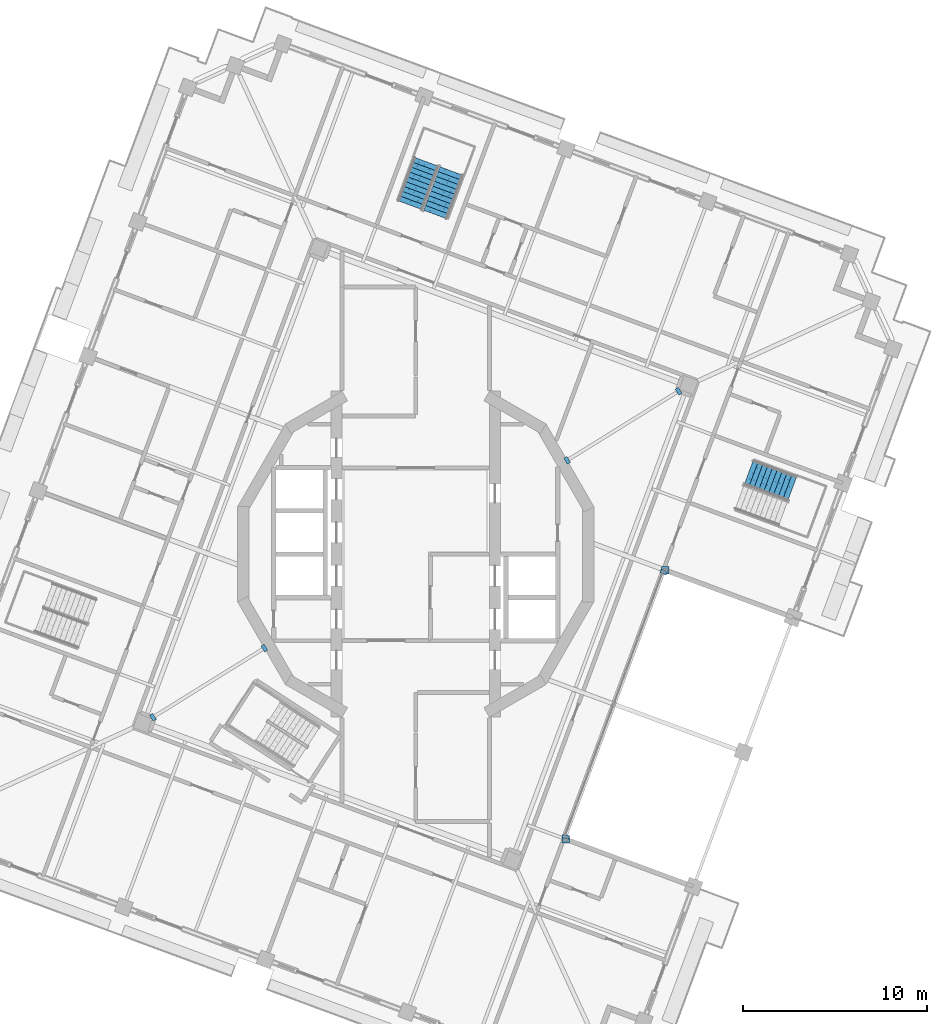
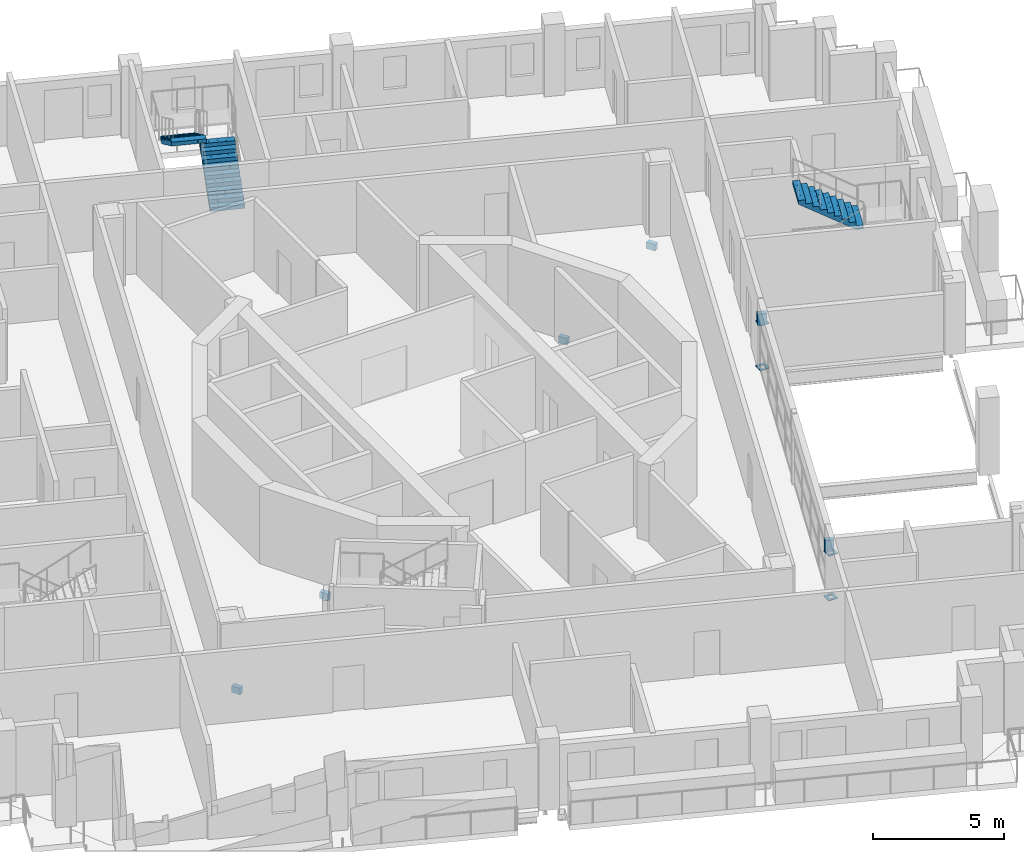
# One storey, part 12 of 19: 10 discrete accessories, 3 stair flights, 2 elements without a shape of their own.
"""IFC4 building model written with IfcOpenShell, lengths in metres."""

from ifc_helpers import new_model, si_unit, direction, frame, origin, place, context, subcontext, project, spatial, polyline, outline, extrude, material, layer, layer_set, type_object, element, aggregate, save


model = new_model("IFC4")

# Units and contexts
model_context = context("Model", 3, precision=1e-05, world=origin(), true_north=direction((0.0, 1.0)))
body_context = subcontext(model_context, "Body", "Model", "MODEL_VIEW")
ifc_project = project(units=[si_unit("LENGTHUNIT", "METRE"), si_unit("AREAUNIT", "SQUARE_METRE"), si_unit("VOLUMEUNIT", "CUBIC_METRE"), si_unit("PLANEANGLEUNIT", "RADIAN"), si_unit("MASSUNIT", "GRAM", prefix="KILO")], contexts=[model_context])

# Site, building, storey
site_placement = place(None, origin())
site = spatial("IfcSite", under=ifc_project, at=site_placement, CompositionType="ELEMENT")
building_placement = place(site_placement, origin())
building = spatial("IfcBuilding", under=site, at=building_placement, Name="Cantera Rosa Tower", CompositionType="ELEMENT")
storey_placement = place(building_placement, frame((0.0, 0.0, 331.300048828125)))
storey = spatial("IfcBuildingStorey", under=building, at=storey_placement, Name="L74", CompositionType="ELEMENT", Elevation=331.300048828125)

# Stair, stair flight
ifc_material_1 = material(Name="Concrete C35/45", Category="concrete")
stair_type = type_object("IfcStairType", Name="EXIT STAIR 1350 DOGLEG", PredefinedType="HALF_TURN_STAIR", material=ifc_material_1)
stair_1_placement = place(storey_placement, origin())
stair_1 = element("IfcStair", 1, at=stair_1_placement, inside=storey, type_object=stair_type, Name="L74 ST-61", PredefinedType="HALF_TURN_STAIR")
ifc_material_2 = material(Name="Concrete C35/45", Category="concrete")
stair_flight_type = type_object("IfcStairFlightType", Name="STAIR FLIGHT 1350 R20x180", PredefinedType="STRAIGHT", material=ifc_material_2)
stair_flight_1_placement = place(storey_placement, frame((20.443115234375, 3.595458984375, 1.800048828125), z_axis=(0.0, 0.0, 1.0), x_axis=(-0.937686938944, 0.347481229039, 0.0)))
stair_flight_1 = element("IfcStairFlight", 2, at=stair_flight_1_placement, type_object=stair_flight_type, Name="ST-61 flight 2", NumberOfRisers=10, NumberOfTreads=9, PredefinedType="STRAIGHT", RiserHeight=0.18, TreadLength=0.28, context=body_context, shape_type="SweptSolid", body=[
    extrude(outline(polyline([(0.0, 0.0), (0.0, 0.179931640625), (0.280029296875, 0.179931640625), (0.280029296875, 0.360107421875), (0.56005859375, 0.360107421875), (0.56005859375, 0.5400390625), (0.840087890625, 0.5400390625), (0.840087890625, 0.719970703125), (1.1201171875, 0.719970703125), (1.1201171875, 0.89990234375), (1.39990234375, 0.89990234375), (1.39990234375, 1.080078125), (1.679931640625, 1.080078125), (1.679931640625, 1.260009765625), (1.9599609375, 1.260009765625), (1.9599609375, 1.43994140625), (2.239990234375, 1.43994140625), (2.239990234375, 1.6201171875), (2.52001953125, 1.6201171875), (2.52001953125, 1.800048828125), (2.52001953125, 1.44189453125), (0.277099609375, 0.0), (0.0, 0.0)])), frame((0.0, 0.675048828125, 0.0), z_axis=(0.0, -1.0, 0.0), x_axis=(1.0, 0.0, 0.0)), (0.0, 0.0, 1.0), 0.3359375),
    extrude(outline(polyline([(0.0, 0.0), (0.0, 0.179931640625), (0.280029296875, 0.179931640625), (0.280029296875, 0.360107421875), (0.56005859375, 0.360107421875), (0.56005859375, 0.5400390625), (0.840087890625, 0.5400390625), (0.840087890625, 0.719970703125), (1.1201171875, 0.719970703125), (1.1201171875, 0.89990234375), (1.39990234375, 0.89990234375), (1.39990234375, 1.080078125), (1.679931640625, 1.080078125), (1.679931640625, 1.260009765625), (1.9599609375, 1.260009765625), (1.9599609375, 1.43994140625), (2.239990234375, 1.43994140625), (2.239990234375, 1.6201171875), (2.52001953125, 1.6201171875), (2.52001953125, 1.800048828125), (2.52001953125, 1.44189453125), (0.277099609375, 0.0), (0.0, 0.0)])), frame((0.0, 0.337158203125, 0.0), z_axis=(0.0, -1.0, 0.0), x_axis=(1.0, 0.0, 0.0)), (0.0, 0.0, 1.0), 0.3359375),
    extrude(outline(polyline([(0.0, 0.0), (0.0, 0.179931640625), (0.280029296875, 0.179931640625), (0.280029296875, 0.360107421875), (0.56005859375, 0.360107421875), (0.56005859375, 0.5400390625), (0.840087890625, 0.5400390625), (0.840087890625, 0.719970703125), (1.1201171875, 0.719970703125), (1.1201171875, 0.89990234375), (1.39990234375, 0.89990234375), (1.39990234375, 1.080078125), (1.679931640625, 1.080078125), (1.679931640625, 1.260009765625), (1.9599609375, 1.260009765625), (1.9599609375, 1.43994140625), (2.239990234375, 1.43994140625), (2.239990234375, 1.6201171875), (2.52001953125, 1.6201171875), (2.52001953125, 1.800048828125), (2.52001953125, 1.44189453125), (0.277099609375, 0.0), (0.0, 0.0)])), frame((0.0, -0.000732421875, 0.0), z_axis=(0.0, -1.0, 0.0), x_axis=(1.0, 0.0, 0.0)), (0.0, 0.0, 1.0), 0.3359375),
    extrude(outline(polyline([(0.0, 0.0), (0.0, 0.179931640625), (0.280029296875, 0.179931640625), (0.280029296875, 0.360107421875), (0.56005859375, 0.360107421875), (0.56005859375, 0.5400390625), (0.840087890625, 0.5400390625), (0.840087890625, 0.719970703125), (1.1201171875, 0.719970703125), (1.1201171875, 0.89990234375), (1.39990234375, 0.89990234375), (1.39990234375, 1.080078125), (1.679931640625, 1.080078125), (1.679931640625, 1.260009765625), (1.9599609375, 1.260009765625), (1.9599609375, 1.43994140625), (2.239990234375, 1.43994140625), (2.239990234375, 1.6201171875), (2.52001953125, 1.6201171875), (2.52001953125, 1.800048828125), (2.52001953125, 1.44189453125), (0.277099609375, 0.0), (0.0, 0.0)])), frame((0.0, -0.338623046875, 0.0), z_axis=(0.0, -1.0, 0.0), x_axis=(1.0, 0.0, 0.0)), (0.0, 0.0, 1.0), 0.3359375),
])
aggregate(stair_1, [stair_flight_1])

# Stair, stair flights
stair_2_placement = place(storey_placement, origin())
stair_2 = element("IfcStair", 3, at=stair_2_placement, inside=storey, type_object=stair_type, Name="L74 ST-62", PredefinedType="HALF_TURN_STAIR")
stair_flight_2_placement = place(storey_placement, frame((1.069580078125, 18.426513671875, 0.0), z_axis=(0.0, 0.0, 1.0), x_axis=(0.347481229039, 0.937686938944, 0.0)))
stair_flight_2 = element("IfcStairFlight", 4, at=stair_flight_2_placement, type_object=stair_flight_type, Name="ST-62 flight 1", NumberOfRisers=10, NumberOfTreads=9, PredefinedType="STRAIGHT", RiserHeight=0.18, TreadLength=0.28, context=body_context, shape_type="SweptSolid", body=[
    extrude(outline(polyline([(0.0, 0.0), (0.0, 0.179931640625), (0.280029296875, 0.179931640625), (0.280029296875, 0.360107421875), (0.56005859375, 0.360107421875), (0.56005859375, 0.5400390625), (0.840087890625, 0.5400390625), (0.840087890625, 0.719970703125), (1.1201171875, 0.719970703125), (1.1201171875, 0.89990234375), (1.39990234375, 0.89990234375), (1.39990234375, 1.080078125), (1.679931640625, 1.080078125), (1.679931640625, 1.260009765625), (1.9599609375, 1.260009765625), (1.9599609375, 1.43994140625), (2.239990234375, 1.43994140625), (2.239990234375, 1.6201171875), (2.52001953125, 1.6201171875), (2.52001953125, 1.800048828125), (2.52001953125, 1.44189453125), (0.277099609375, 0.0), (0.0, 0.0)])), frame((0.0, 0.675048828125, 0.0), z_axis=(0.0, -1.0, 0.0), x_axis=(1.0, 0.0, 0.0)), (0.0, 0.0, 1.0), 0.3359375),
    extrude(outline(polyline([(0.0, 0.0), (0.0, 0.179931640625), (0.280029296875, 0.179931640625), (0.280029296875, 0.360107421875), (0.56005859375, 0.360107421875), (0.56005859375, 0.5400390625), (0.840087890625, 0.5400390625), (0.840087890625, 0.719970703125), (1.1201171875, 0.719970703125), (1.1201171875, 0.89990234375), (1.39990234375, 0.89990234375), (1.39990234375, 1.080078125), (1.679931640625, 1.080078125), (1.679931640625, 1.260009765625), (1.9599609375, 1.260009765625), (1.9599609375, 1.43994140625), (2.239990234375, 1.43994140625), (2.239990234375, 1.6201171875), (2.52001953125, 1.6201171875), (2.52001953125, 1.800048828125), (2.52001953125, 1.44189453125), (0.277099609375, 0.0), (0.0, 0.0)])), frame((0.0, 0.337158203125, 0.0), z_axis=(0.0, -1.0, 0.0), x_axis=(1.0, 0.0, 0.0)), (0.0, 0.0, 1.0), 0.3359375),
    extrude(outline(polyline([(0.0, 0.0), (0.0, 0.179931640625), (0.280029296875, 0.179931640625), (0.280029296875, 0.360107421875), (0.56005859375, 0.360107421875), (0.56005859375, 0.5400390625), (0.840087890625, 0.5400390625), (0.840087890625, 0.719970703125), (1.1201171875, 0.719970703125), (1.1201171875, 0.89990234375), (1.39990234375, 0.89990234375), (1.39990234375, 1.080078125), (1.679931640625, 1.080078125), (1.679931640625, 1.260009765625), (1.9599609375, 1.260009765625), (1.9599609375, 1.43994140625), (2.239990234375, 1.43994140625), (2.239990234375, 1.6201171875), (2.52001953125, 1.6201171875), (2.52001953125, 1.800048828125), (2.52001953125, 1.44189453125), (0.277099609375, 0.0), (0.0, 0.0)])), frame((0.0, -0.000732421875, 0.0), z_axis=(0.0, -1.0, 0.0), x_axis=(1.0, 0.0, 0.0)), (0.0, 0.0, 1.0), 0.3359375),
    extrude(outline(polyline([(0.0, 0.0), (0.0, 0.179931640625), (0.280029296875, 0.179931640625), (0.280029296875, 0.360107421875), (0.56005859375, 0.360107421875), (0.56005859375, 0.5400390625), (0.840087890625, 0.5400390625), (0.840087890625, 0.719970703125), (1.1201171875, 0.719970703125), (1.1201171875, 0.89990234375), (1.39990234375, 0.89990234375), (1.39990234375, 1.080078125), (1.679931640625, 1.080078125), (1.679931640625, 1.260009765625), (1.9599609375, 1.260009765625), (1.9599609375, 1.43994140625), (2.239990234375, 1.43994140625), (2.239990234375, 1.6201171875), (2.52001953125, 1.6201171875), (2.52001953125, 1.800048828125), (2.52001953125, 1.44189453125), (0.277099609375, 0.0), (0.0, 0.0)])), frame((0.0, -0.338623046875, 0.0), z_axis=(0.0, -1.0, 0.0), x_axis=(1.0, 0.0, 0.0)), (0.0, 0.0, 1.0), 0.3359375),
])
stair_flight_3_placement = place(storey_placement, frame((0.53857421875, 21.310791015625, 1.800048828125), z_axis=(0.0, 0.0, 1.0), x_axis=(-0.347481229039, -0.937686938944, 0.0)))
stair_flight_3 = element("IfcStairFlight", 5, at=stair_flight_3_placement, type_object=stair_flight_type, Name="ST-62 flight 2", NumberOfRisers=10, NumberOfTreads=9, PredefinedType="STRAIGHT", RiserHeight=0.18, TreadLength=0.28, context=body_context, shape_type="SweptSolid", body=[
    extrude(outline(polyline([(0.0, 0.0), (0.0, 0.179931640625), (0.280029296875, 0.179931640625), (0.280029296875, 0.360107421875), (0.56005859375, 0.360107421875), (0.56005859375, 0.5400390625), (0.840087890625, 0.5400390625), (0.840087890625, 0.719970703125), (1.1201171875, 0.719970703125), (1.1201171875, 0.89990234375), (1.39990234375, 0.89990234375), (1.39990234375, 1.080078125), (1.679931640625, 1.080078125), (1.679931640625, 1.260009765625), (1.9599609375, 1.260009765625), (1.9599609375, 1.43994140625), (2.239990234375, 1.43994140625), (2.239990234375, 1.6201171875), (2.52001953125, 1.6201171875), (2.52001953125, 1.800048828125), (2.52001953125, 1.44189453125), (0.277099609375, 0.0), (0.0, 0.0)])), frame((0.0, 0.675048828125, 0.0), z_axis=(0.0, -1.0, 0.0), x_axis=(1.0, 0.0, 0.0)), (0.0, 0.0, 1.0), 0.3359375),
    extrude(outline(polyline([(0.0, 0.0), (0.0, 0.179931640625), (0.280029296875, 0.179931640625), (0.280029296875, 0.360107421875), (0.56005859375, 0.360107421875), (0.56005859375, 0.5400390625), (0.840087890625, 0.5400390625), (0.840087890625, 0.719970703125), (1.1201171875, 0.719970703125), (1.1201171875, 0.89990234375), (1.39990234375, 0.89990234375), (1.39990234375, 1.080078125), (1.679931640625, 1.080078125), (1.679931640625, 1.260009765625), (1.9599609375, 1.260009765625), (1.9599609375, 1.43994140625), (2.239990234375, 1.43994140625), (2.239990234375, 1.6201171875), (2.52001953125, 1.6201171875), (2.52001953125, 1.800048828125), (2.52001953125, 1.44189453125), (0.277099609375, 0.0), (0.0, 0.0)])), frame((0.0, 0.337158203125, 0.0), z_axis=(0.0, -1.0, 0.0), x_axis=(1.0, 0.0, 0.0)), (0.0, 0.0, 1.0), 0.3359375),
    extrude(outline(polyline([(0.0, 0.0), (0.0, 0.179931640625), (0.280029296875, 0.179931640625), (0.280029296875, 0.360107421875), (0.56005859375, 0.360107421875), (0.56005859375, 0.5400390625), (0.840087890625, 0.5400390625), (0.840087890625, 0.719970703125), (1.1201171875, 0.719970703125), (1.1201171875, 0.89990234375), (1.39990234375, 0.89990234375), (1.39990234375, 1.080078125), (1.679931640625, 1.080078125), (1.679931640625, 1.260009765625), (1.9599609375, 1.260009765625), (1.9599609375, 1.43994140625), (2.239990234375, 1.43994140625), (2.239990234375, 1.6201171875), (2.52001953125, 1.6201171875), (2.52001953125, 1.800048828125), (2.52001953125, 1.44189453125), (0.277099609375, 0.0), (0.0, 0.0)])), frame((0.0, -0.000732421875, 0.0), z_axis=(0.0, -1.0, 0.0), x_axis=(1.0, 0.0, 0.0)), (0.0, 0.0, 1.0), 0.3359375),
    extrude(outline(polyline([(0.0, 0.0), (0.0, 0.179931640625), (0.280029296875, 0.179931640625), (0.280029296875, 0.360107421875), (0.56005859375, 0.360107421875), (0.56005859375, 0.5400390625), (0.840087890625, 0.5400390625), (0.840087890625, 0.719970703125), (1.1201171875, 0.719970703125), (1.1201171875, 0.89990234375), (1.39990234375, 0.89990234375), (1.39990234375, 1.080078125), (1.679931640625, 1.080078125), (1.679931640625, 1.260009765625), (1.9599609375, 1.260009765625), (1.9599609375, 1.43994140625), (2.239990234375, 1.43994140625), (2.239990234375, 1.6201171875), (2.52001953125, 1.6201171875), (2.52001953125, 1.800048828125), (2.52001953125, 1.44189453125), (0.277099609375, 0.0), (0.0, 0.0)])), frame((0.0, -0.338623046875, 0.0), z_axis=(0.0, -1.0, 0.0), x_axis=(1.0, 0.0, 0.0)), (0.0, 0.0, 1.0), 0.3359375),
])
aggregate(stair_2, [stair_flight_2, stair_flight_3])

# Discrete accessories
ifc_material_3 = material(Name="Steel ASTM A992 (Fy 345 MPa)", Category="steel")
ifc_layer = layer(ifc_material_3, 0.0400390625)
ifc_layer_set = layer_set([ifc_layer], Name="STEEL BEARING PLATE 40")
discrete_accessory_type = type_object("IfcDiscreteAccessoryType", Name="STEEL BEARING PLATE 40", PredefinedType="ANCHORPLATE", material=ifc_layer_set)
discrete_accessory_1_placement = place(storey_placement, frame((0.0, 0.0, -0.60595703125)))
element("IfcDiscreteAccessory", 6, at=discrete_accessory_1_placement, inside=storey, type_object=discrete_accessory_type, Name="BEARING PLATE PG-Z6-01 end 1 L74", PredefinedType="ANCHORPLATE", context=body_context, shape_type="SweptSolid", body=[
    extrude(outline(polyline([(-14.277099609375, -8.6318359375), (-14.447021484375, -8.7373046875), (-14.247802734375, -9.05859375), (-14.077880859375, -8.953125), (-14.277099609375, -8.6318359375)])), origin(), (0.0, 0.0, 1.0), 0.305908203125),
])
discrete_accessory_2_placement = place(storey_placement, frame((0.0, 0.0, -0.60595703125)))
element("IfcDiscreteAccessory", 7, at=discrete_accessory_2_placement, inside=storey, type_object=discrete_accessory_type, Name="BEARING PLATE PG-Z6-01 end 2 L74", PredefinedType="ANCHORPLATE", context=body_context, shape_type="SweptSolid", body=[
    extrude(outline(polyline([(-8.1982421875, -5.306640625), (-8.0283203125, -5.201416015625), (-8.2275390625, -4.880126953125), (-8.3974609375, -4.985595703125), (-8.1982421875, -5.306640625)])), origin(), (0.0, 0.0, 1.0), 0.305908203125),
])
discrete_accessory_3_placement = place(storey_placement, frame((0.0, 0.0, -0.60595703125)))
element("IfcDiscreteAccessory", 8, at=discrete_accessory_3_placement, inside=storey, type_object=discrete_accessory_type, Name="BEARING PLATE PG-Z6-02 end 1 L74", PredefinedType="ANCHORPLATE", context=body_context, shape_type="SweptSolid", body=[
    extrude(outline(polyline([(14.277099609375, 8.6318359375), (14.447021484375, 8.7373046875), (14.247802734375, 9.05859375), (14.077880859375, 8.953125), (14.277099609375, 8.6318359375)])), origin(), (0.0, 0.0, 1.0), 0.305908203125),
])
discrete_accessory_4_placement = place(storey_placement, frame((0.0, 0.0, -0.60595703125)))
element("IfcDiscreteAccessory", 9, at=discrete_accessory_4_placement, inside=storey, type_object=discrete_accessory_type, Name="BEARING PLATE PG-Z6-02 end 2 L74", PredefinedType="ANCHORPLATE", context=body_context, shape_type="SweptSolid", body=[
    extrude(outline(polyline([(8.1982421875, 5.306640625), (8.0283203125, 5.201416015625), (8.2275390625, 4.880126953125), (8.3974609375, 4.985595703125), (8.1982421875, 5.306640625)])), origin(), (0.0, 0.0, 1.0), 0.305908203125),
])
for number, where, name in (
    (10, (0.0, 0.0, 0.0), "POST PLATE L74-1F"),
    (11, (0.0, 0.0, 2.08984375), "POST PLATE L74-1T"),
):
    element("IfcDiscreteAccessory", number, at=place(storey_placement, frame(where)), inside=storey, type_object=discrete_accessory_type, Name=name, PredefinedType="ANCHORPLATE", context=body_context, shape_type="SweptSolid", body=[
        extrude(outline(polyline([(7.934814453125, -15.66015625), (8.334716796875, -15.66015625), (8.334716796875, -15.260009765625), (7.934814453125, -15.260009765625), (7.934814453125, -15.66015625)]), holes=[polyline([(8.034912109375, -15.56005859375), (8.23486328125, -15.56005859375), (8.23486328125, -15.360107421875), (8.034912109375, -15.360107421875), (8.034912109375, -15.56005859375)])]), origin(), (0.0, 0.0, 1.0), 0.0400390625),
    ])
for number, where, name in (
    (12, (0.0, 0.0, 0.0), "POST PLATE L74-2F"),
    (13, (0.0, 0.0, 2.08984375), "POST PLATE L74-2T"),
):
    element("IfcDiscreteAccessory", number, at=place(storey_placement, frame(where)), inside=storey, type_object=discrete_accessory_type, Name=name, PredefinedType="ANCHORPLATE", context=body_context, shape_type="SweptSolid", body=[
        extrude(outline(polyline([(13.341552734375, -1.069580078125), (13.74169921875, -1.069580078125), (13.74169921875, -0.669677734375), (13.341552734375, -0.669677734375), (13.341552734375, -1.069580078125)]), holes=[polyline([(13.441650390625, -0.9697265625), (13.6416015625, -0.9697265625), (13.6416015625, -0.769775390625), (13.441650390625, -0.769775390625), (13.441650390625, -0.9697265625)])]), origin(), (0.0, 0.0, 1.0), 0.0400390625),
    ])
discrete_accessory_5_placement = place(storey_placement, frame((0.0, 0.0, 2.1298828125)))
element("IfcDiscreteAccessory", 14, at=discrete_accessory_5_placement, inside=storey, type_object=discrete_accessory_type, Name="LINTEL PLATE L74-1", PredefinedType="ANCHORPLATE", context=body_context, shape_type="SweptSolid", body=[
    extrude(outline(polyline([(7.994384765625, -15.168212890625), (7.925048828125, -15.355712890625), (8.268310546875, -15.48291015625), (8.337646484375, -15.29541015625), (7.994384765625, -15.168212890625)])), origin(), (0.0, 0.0, 1.0), 0.528076171875),
])
discrete_accessory_6_placement = place(storey_placement, frame((0.0, 0.0, 2.1298828125)))
element("IfcDiscreteAccessory", 15, at=discrete_accessory_6_placement, inside=storey, type_object=discrete_accessory_type, Name="LINTEL PLATE L74-2", PredefinedType="ANCHORPLATE", context=body_context, shape_type="SweptSolid", body=[
    extrude(outline(polyline([(13.588134765625, -1.126708984375), (13.65771484375, -0.939208984375), (13.314453125, -0.81201171875), (13.2451171875, -0.999755859375), (13.588134765625, -1.126708984375)])), origin(), (0.0, 0.0, 1.0), 0.528076171875),
])

save(model, "model.ifc")
